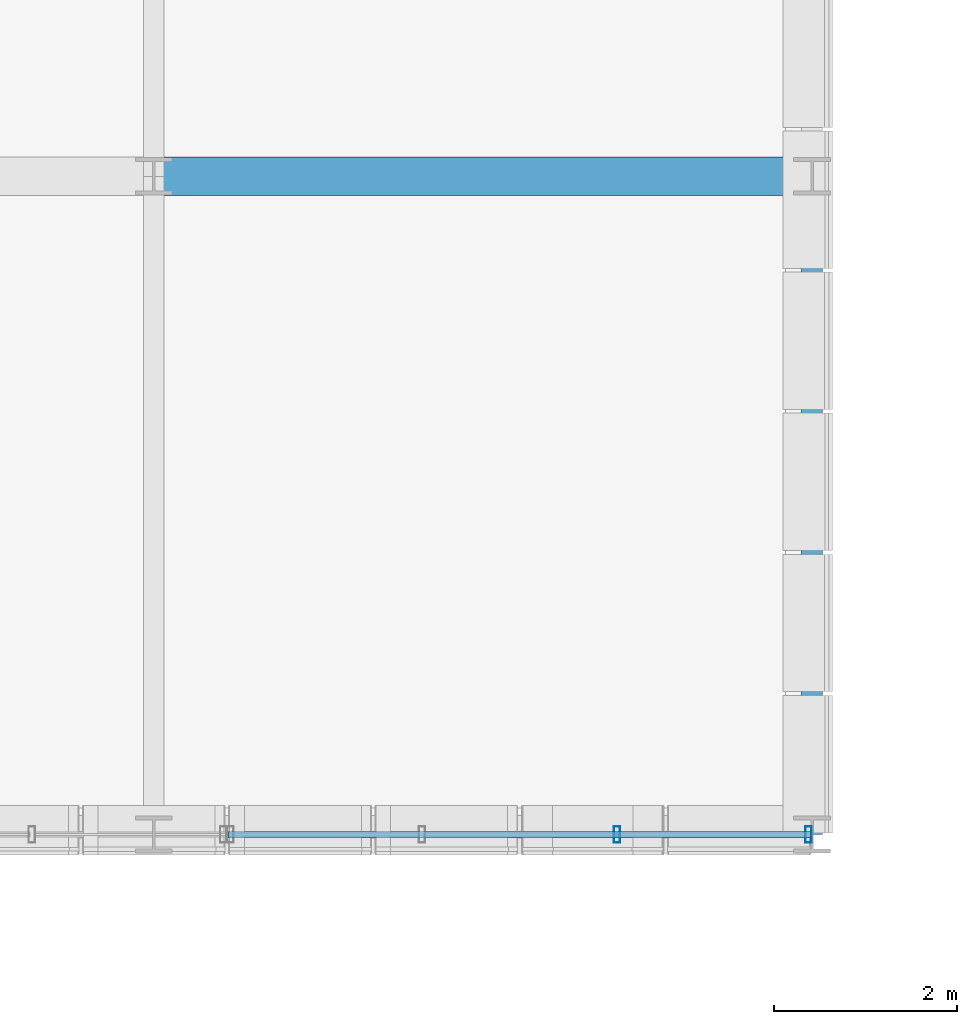
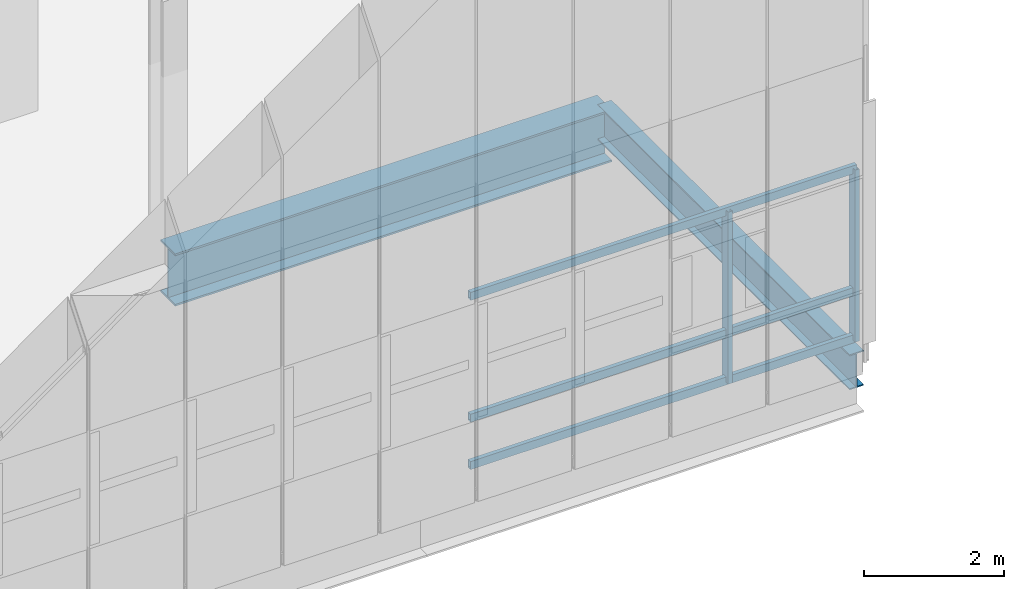
# One storey, part 13 of 144: 5 members, 2 beams, 1 element without a shape of its own.
"""IFC4 building model written with IfcOpenShell, lengths in metres."""

from ifc_helpers import new_model, si_unit, direction, frame, origin, origin_2d, place, context, subcontext, project, spatial, hollow_rectangle, i_section, extrude, material, material_profile, profile_set, type_object, element, aggregate, save


model = new_model("IFC4")

# Units and contexts
model_context = context("Model", 3, precision=1e-05, world=origin(), true_north=direction((0.0, 1.0)))
body_context = subcontext(model_context, "Body", "Model", "MODEL_VIEW")
ifc_project = project(units=[si_unit("LENGTHUNIT", "METRE"), si_unit("AREAUNIT", "SQUARE_METRE"), si_unit("VOLUMEUNIT", "CUBIC_METRE"), si_unit("PLANEANGLEUNIT", "RADIAN"), si_unit("MASSUNIT", "GRAM", prefix="KILO")], contexts=[model_context])

# Site, building, storey
site_placement = place(None, origin())
site = spatial("IfcSite", under=ifc_project, at=site_placement, CompositionType="ELEMENT")
building_placement = place(site_placement, origin())
building = spatial("IfcBuilding", under=site, at=building_placement, Name="Yarey Park Central Fire Station", CompositionType="ELEMENT")
storey_placement = place(building_placement, frame((0.0, 0.0, 10.199951171875)))
storey = spatial("IfcBuildingStorey", under=building, at=storey_placement, Name="L03", CompositionType="ELEMENT", Elevation=10.199951171875)

# Curtain wall, members
ifc_material_1 = material(Name="Anodized Aluminium Frame", Category="aluminium")
curtain_wall_type = type_object("IfcCurtainWallType", Name="ENV_CW_V3_OVR1", PredefinedType="NOTDEFINED", material=ifc_material_1)
curtain_wall_placement = place(storey_placement, origin())
curtain_wall = element("IfcCurtainWall", 1, at=curtain_wall_placement, inside=storey, type_object=curtain_wall_type, Name="CW_L03_DRUM_S_049", PredefinedType="NOTDEFINED")
ifc_material_profile_1 = material_profile(ifc_material_1, hollow_rectangle(XDim=0.070068359375, YDim=0.179931640625, WallThickness=0.00390625, at=origin_2d()), Name="ALU 180x70x4")
ifc_profile_set_1 = profile_set([ifc_material_profile_1], Name="Anodized Aluminium Frame")
member_type_1 = type_object("IfcMemberType", Name="ENV_CW_MULLION", PredefinedType="MULLION", material=ifc_profile_set_1)
member_1_placement = place(storey_placement, frame((26.666748046875, 21.60009765625, 0.0), z_axis=(0.0, 0.0, 1.0), x_axis=(1.0, 0.0, 0.0)))
member_1 = element("IfcMember", 2, at=member_1_placement, type_object=member_type_1, Name="CW_L03_DRUM_S_049_MUL3", PredefinedType="MULLION", context=body_context, shape_type="SweptSolid", body=[
    extrude(hollow_rectangle(XDim=0.070068359375, YDim=0.179931640625, WallThickness=0.00390625, at=origin_2d()), origin(), (0.0, 0.0, 1.0), 3.0),
])
member_2_placement = place(storey_placement, frame((28.760009765625, 21.60009765625, 0.0), z_axis=(0.0, 0.0, 1.0), x_axis=(1.0, 0.0, 0.0)))
member_2 = element("IfcMember", 3, at=member_2_placement, type_object=member_type_1, Name="CW_L03_DRUM_S_049_MUL4", PredefinedType="MULLION", context=body_context, shape_type="SweptSolid", body=[
    extrude(hollow_rectangle(XDim=0.070068359375, YDim=0.179931640625, WallThickness=0.00390625, at=origin_2d()), origin(), (0.0, 0.0, 1.0), 3.0),
])
ifc_material_profile_2 = material_profile(ifc_material_1, hollow_rectangle(XDim=0.070068359375, YDim=0.139892578125, WallThickness=0.00390625, at=origin_2d()), Name="ALU 140x70x4")
ifc_profile_set_2 = profile_set([ifc_material_profile_2], Name="Anodized Aluminium Frame")
member_type_2 = type_object("IfcMemberType", Name="ENV_CW_TRANSOM", PredefinedType="USERDEFINED", material=ifc_profile_set_2)
member_3_placement = place(storey_placement, frame((22.4150390625, 21.60009765625, 0.025146484375), z_axis=(1.0, 0.0, 0.0), x_axis=(0.0, 1.0, 0.0)))
member_3 = element("IfcMember", 4, at=member_3_placement, type_object=member_type_2, Name="CW_L03_DRUM_S_049_TRN1", ObjectType="TRANSOM", PredefinedType="USERDEFINED", context=body_context, shape_type="SweptSolid", body=[
    extrude(hollow_rectangle(XDim=0.070068359375, YDim=0.139892578125, WallThickness=0.00390625, at=origin_2d()), origin(), (0.0, 0.0, 1.0), 6.369873046875),
])
member_4_placement = place(storey_placement, frame((22.4150390625, 21.60009765625, 0.85009765625), z_axis=(1.0, 0.0, 0.0), x_axis=(0.0, 1.0, 0.0)))
member_4 = element("IfcMember", 5, at=member_4_placement, type_object=member_type_2, Name="CW_L03_DRUM_S_049_TRN2", ObjectType="TRANSOM", PredefinedType="USERDEFINED", context=body_context, shape_type="SweptSolid", body=[
    extrude(hollow_rectangle(XDim=0.070068359375, YDim=0.139892578125, WallThickness=0.00390625, at=origin_2d()), origin(), (0.0, 0.0, 1.0), 6.369873046875),
])
member_5_placement = place(storey_placement, frame((22.4150390625, 21.60009765625, 2.97509765625), z_axis=(1.0, 0.0, 0.0), x_axis=(0.0, 1.0, 0.0)))
member_5 = element("IfcMember", 6, at=member_5_placement, type_object=member_type_2, Name="CW_L03_DRUM_S_049_TRN3", ObjectType="TRANSOM", PredefinedType="USERDEFINED", context=body_context, shape_type="SweptSolid", body=[
    extrude(hollow_rectangle(XDim=0.070068359375, YDim=0.139892578125, WallThickness=0.00390625, at=origin_2d()), origin(), (0.0, 0.0, 1.0), 6.369873046875),
])
aggregate(curtain_wall, [member_1, member_2, member_3, member_4, member_5])

# Beams
ifc_material_2 = material(Name="Steel ASTM A992 Gr. 50", Category="steel")
ifc_material_profile_3 = material_profile(ifc_material_2, i_section(OverallWidth=0.22900390625, OverallDepth=0.612060546875, WebThickness=0.011962890625, FlangeThickness=0.01953125, at=origin_2d()), Name="W610x125")
ifc_profile_set_3 = profile_set([ifc_material_profile_3], Name="Steel ASTM A992 Gr. 50")
beam_type_1 = type_object("IfcBeamType", Name="STR_BM_W610", PredefinedType="BEAM", material=ifc_profile_set_3)
beam_1_placement = place(storey_placement, frame((28.800048828125, 21.60009765625, -0.56591796875), z_axis=(0.0, 1.0, 0.0), x_axis=(-1.0, 0.0, 0.0)))
element("IfcBeam", 7, at=beam_1_placement, inside=storey, type_object=beam_type_1, Name="BMY L03 X288 Y216", PredefinedType="BEAM", context=body_context, shape_type="SweptSolid", body=[
    extrude(i_section(OverallWidth=0.22900390625, OverallDepth=0.612060546875, WebThickness=0.011962890625, FlangeThickness=0.01953125, at=origin_2d()), origin(), (0.0, 0.0, 1.0), 7.199951171875),
])
ifc_material_profile_4 = material_profile(ifc_material_2, i_section(OverallWidth=0.41796875, OverallDepth=0.912109375, WebThickness=0.019287109375, FlangeThickness=0.031982421875, at=origin_2d()), Name="W920x342")
ifc_profile_set_4 = profile_set([ifc_material_profile_4], Name="Steel ASTM A992 Gr. 50")
beam_type_2 = type_object("IfcBeamType", Name="STR_BM_W920", PredefinedType="BEAM", material=ifc_profile_set_4)
beam_2_placement = place(storey_placement, frame((21.60009765625, 28.800048828125, -0.716064453125), z_axis=(1.0, 0.0, 0.0), x_axis=(0.0, 1.0, 0.0)))
element("IfcBeam", 8, at=beam_2_placement, inside=storey, type_object=beam_type_2, Name="DRUM GIRD2 L03 Y288", PredefinedType="BEAM", context=body_context, shape_type="SweptSolid", body=[
    extrude(i_section(OverallWidth=0.41796875, OverallDepth=0.912109375, WebThickness=0.019287109375, FlangeThickness=0.031982421875, at=origin_2d()), origin(), (0.0, 0.0, 1.0), 7.199951171875),
])

save(model, "model.ifc")
